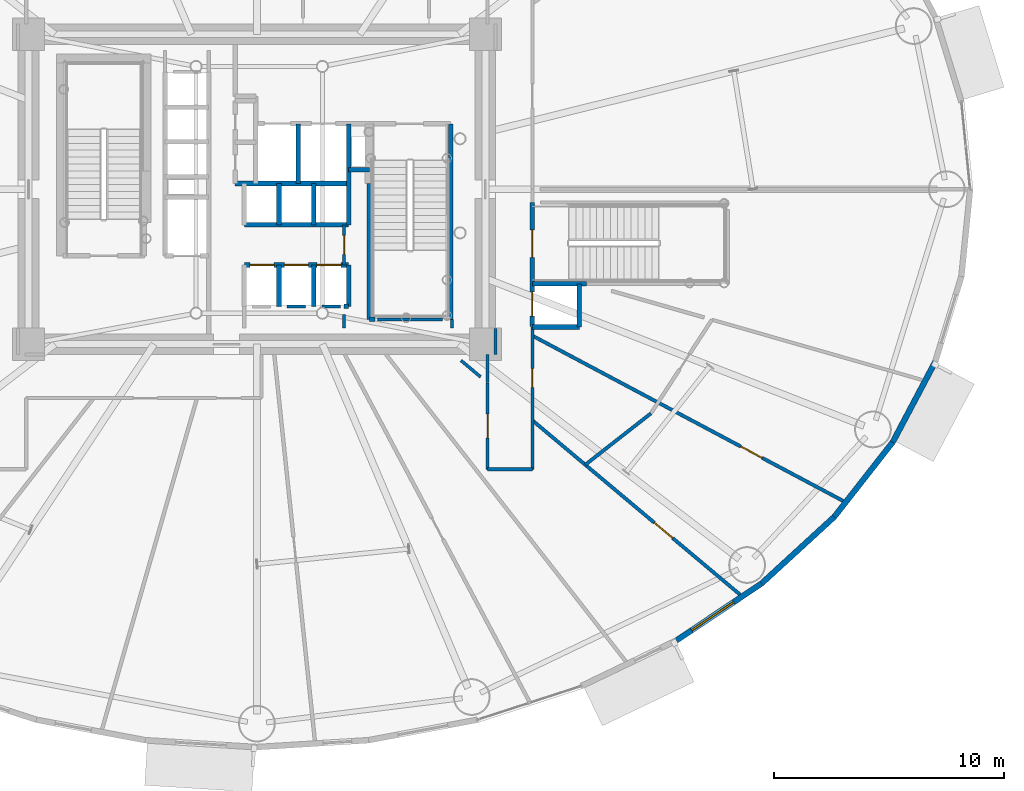
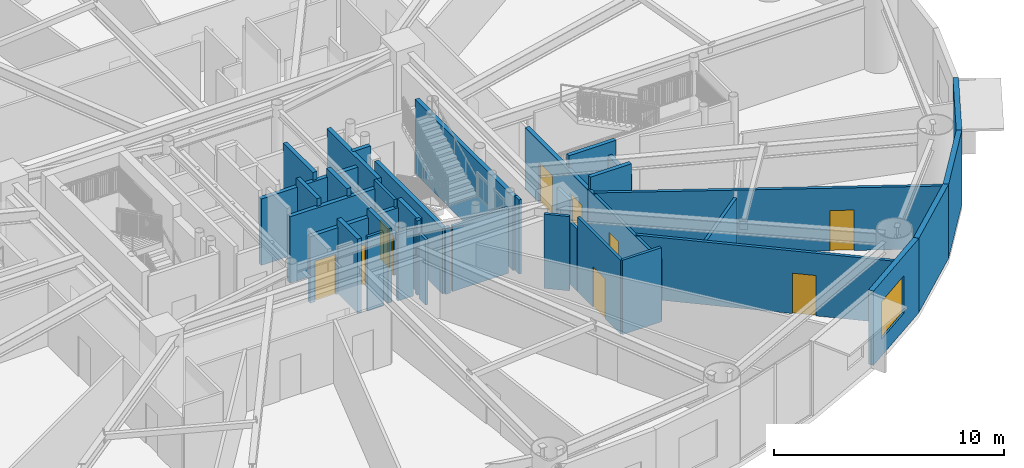
# One storey, part 18 of 32: 38 walls, 10 doors, 1 window, 11 openings.
"""IFC4 building model written with IfcOpenShell, lengths in metres."""

import ifcopenshell
import ifcopenshell.guid

model = None  # the IFC model being written
_history = None  # IfcOwnerHistory: only IFC2X3 demands one
_inside = {}  # id of a spatial element -> (the spatial element, [elements in it])
_under = {}  # id of a project, library or spatial element -> (it, [spatial elements below it])
_declared = {}  # id of a project -> (the project, [libraries it declares])
_typed = {}  # id of a type object -> (the type object, [elements of that type])
_made_of = {}  # id of a material, layer set ... -> (it, [elements and type objects made of it])


def new_model(schema):
    """Start an empty IFC model of exactly this schema.

    Asked for "IFC4X3", IfcOpenShell would pick the latest addendum, in which some entities
    have other attributes; the version numbers below select the first issue.
    IFC2X3 requires an IfcOwnerHistory on every rooted entity: one is made here for all.
    """
    global model, _history
    if schema == "IFC4X3":
        model = ifcopenshell.file(schema_version=(4, 3, 0, 0))
    else:
        model = ifcopenshell.file(schema=schema)
    _inside.clear()
    _under.clear()
    _declared.clear()
    _typed.clear()
    _made_of.clear()
    _history = None
    if model.schema == "IFC2X3":
        org = make("IfcOrganization", Name="unknown")
        user = make(
            "IfcPersonAndOrganization",
            ThePerson=make("IfcPerson", FamilyName="unknown"),
            TheOrganization=org,
        )
        app = make(
            "IfcApplication",
            ApplicationDeveloper=org,
            Version="unknown",
            ApplicationFullName="unknown",
            ApplicationIdentifier="unknown",
        )
        _history = make(
            "IfcOwnerHistory",
            OwningUser=user,
            OwningApplication=app,
            ChangeAction="ADDED",
            CreationDate=0,
        )
    return model


def make(cls, **values):
    """One entity of the class cls with the attributes given. An attribute that is None is left unset."""
    return model.create_entity(
        cls, **{name: value for name, value in values.items() if value is not None}
    )


def rooted(cls, **values):
    """An entity with a GlobalId (a new one), such as an element, a storey or a relation."""
    return make(cls, GlobalId=ifcopenshell.guid.new(), OwnerHistory=_history, **values)


def si_unit(unit_type, name, prefix=None):
    """IfcSIUnit, for example si_unit("LENGTHUNIT", "METRE", prefix="MILLI")."""
    return make("IfcSIUnit", UnitType=unit_type, Prefix=prefix, Name=name)


def assignment(units):
    """IfcUnitAssignment: the units of a project."""
    return None if units is None else make("IfcUnitAssignment", Units=units)


def point(xyz):
    """IfcCartesianPoint."""
    return None if xyz is None else make("IfcCartesianPoint", Coordinates=xyz)


def direction(xyz):
    """IfcDirection."""
    return None if xyz is None else make("IfcDirection", DirectionRatios=xyz)


def frame(location, z_axis=None, x_axis=None):
    """IfcAxis2Placement3D, a coordinate frame: its origin and axes. An axis left out is left unset."""
    return make(
        "IfcAxis2Placement3D",
        Location=point(location),
        Axis=direction(z_axis),
        RefDirection=direction(x_axis),
    )


def frame_2d(location, x_axis=None):
    """IfcAxis2Placement2D, a coordinate frame in the plane: its origin and x axis."""
    return make(
        "IfcAxis2Placement2D", Location=point(location), RefDirection=direction(x_axis)
    )


def origin():
    """The frame at (0, 0, 0) with its axes left unset."""
    return frame((0.0, 0.0, 0.0))


def origin_2d():
    """The frame at (0, 0) in the plane with its x axis left unset."""
    return frame_2d((0.0, 0.0))


def place(relative_to, where):
    """IfcLocalPlacement: puts the frame where relative to a parent placement (None: the world)."""
    return make(
        "IfcLocalPlacement", PlacementRelTo=relative_to, RelativePlacement=where
    )


def context(
    kind, dimensions, precision=None, world=None, true_north=None, identifier=None
):
    """IfcGeometricRepresentationContext, for example the 3D "Model" context."""
    return make(
        "IfcGeometricRepresentationContext",
        ContextIdentifier=identifier,
        ContextType=kind,
        CoordinateSpaceDimension=dimensions,
        Precision=precision,
        WorldCoordinateSystem=world,
        TrueNorth=true_north,
    )


def subcontext(parent, identifier, kind, view, scale=None):
    """IfcGeometricRepresentationSubContext, for example "Body" below "Model"."""
    return make(
        "IfcGeometricRepresentationSubContext",
        ContextIdentifier=identifier,
        ContextType=kind,
        ParentContext=parent,
        TargetScale=scale,
        TargetView=view,
    )


def project(units=None, contexts=None):
    """IfcProject with its units and contexts."""
    return rooted(
        "IfcProject",
        Name="project",
        RepresentationContexts=contexts,
        UnitsInContext=assignment(units),
    )


def spatial(cls, under=None, at=None, **own):
    """A site, building, storey or space (cls), placed at a placement, below another one or the project."""
    s = rooted(cls, ObjectPlacement=at, **own)
    if under is not None:
        _under.setdefault(under.id(), (under, []))[1].append(s)
    return s


def profile(cls, at=None, kind="AREA", **sizes):
    """A parametric profile (cls). Its sizes go by their IFC names, for example OverallWidth=200.0."""
    return make(cls, ProfileType=kind, Position=at, **sizes)


def rectangle(**sizes):
    """IfcRectangleProfileDef."""
    return profile("IfcRectangleProfileDef", **sizes)


def extrude(swept, where, along, depth):
    """IfcExtrudedAreaSolid: the profile swept, set in the frame where, extruded along a direction by depth."""
    return make(
        "IfcExtrudedAreaSolid",
        SweptArea=swept,
        Position=where,
        ExtrudedDirection=direction(along),
        Depth=depth,
    )


def shape(context_of_items, identifier, shape_type, items):
    """IfcShapeRepresentation: the items that make up one representation, for example the "Body"."""
    return make(
        "IfcShapeRepresentation",
        ContextOfItems=context_of_items,
        RepresentationIdentifier=identifier,
        RepresentationType=shape_type,
        Items=items,
    )


def source(mapping_origin, context_of_items, identifier, shape_type, items):
    """IfcRepresentationMap: a shape defined once, which mapped items show again and again."""
    return make(
        "IfcRepresentationMap",
        MappingOrigin=mapping_origin,
        MappedRepresentation=shape(context_of_items, identifier, shape_type, items),
    )


def transform(
    local_origin,
    x_axis=None,
    y_axis=None,
    z_axis=None,
    scale=None,
    scale2=None,
    scale3=None,
    uniform=True,
):
    """IfcCartesianTransformationOperator3D, or its non-uniform kind. x_axis, y_axis, z_axis: its Axis1, 2, 3."""
    if uniform:
        return make(
            "IfcCartesianTransformationOperator3D",
            Axis1=direction(x_axis),
            Axis2=direction(y_axis),
            LocalOrigin=point(local_origin),
            Scale=scale,
            Axis3=direction(z_axis),
        )
    return make(
        "IfcCartesianTransformationOperator3DnonUniform",
        Axis1=direction(x_axis),
        Axis2=direction(y_axis),
        LocalOrigin=point(local_origin),
        Scale=scale,
        Axis3=direction(z_axis),
        Scale2=scale2,
        Scale3=scale3,
    )


def mapped(mapping_source, mapping_target):
    """IfcMappedItem: shows the shape of a source again, moved by a transform."""
    return make(
        "IfcMappedItem", MappingSource=mapping_source, MappingTarget=mapping_target
    )


def material(Name=None, Category=None):
    """IfcMaterial."""
    return make("IfcMaterial", Name=Name, Category=Category)


def layer(
    of_material, thickness, ventilated=None, Name=None, Category=None, Priority=None
):
    """IfcMaterialLayer: one layer of a wall or slab, of a material (None: an air gap)."""
    return make(
        "IfcMaterialLayer",
        Material=of_material,
        LayerThickness=thickness,
        IsVentilated=ventilated,
        Name=Name,
        Category=Category,
        Priority=Priority,
    )


def layer_set(layers, Name=None):
    """IfcMaterialLayerSet."""
    return make("IfcMaterialLayerSet", MaterialLayers=layers, LayerSetName=Name)


def made_of(thing, what):
    """Note that an element or type object is made of a material, layer set ...; save() writes the relation."""
    if what is not None:
        _made_of.setdefault(what.id(), (what, []))[1].append(thing)
    return thing


def type_object(cls, material=None, **own):
    """A type object (cls), such as IfcWallType, which elements share."""
    return made_of(rooted(cls, **own), material)


def element(
    cls,
    number,
    at=None,
    inside=None,
    cuts=None,
    type_object=None,
    material=None,
    context=None,
    identifier="Body",
    shape_type=None,
    held_by="IfcProductDefinitionShape",
    body=None,
    shapes=None,
    **own,
):
    """One element of the class cls, such as IfcWall. Its Tag is "e" and its number.

    at: its placement. inside: the storey or other place that contains it. cuts: it is an
    opening in that element (IfcRelVoidsElement). A single representation is given by context,
    identifier, shape_type and body (its items); several are given by shapes. held_by: the class
    of the entity that holds the representations. save() writes the other relations.
    """
    e = rooted(cls, Tag="e%d" % number, ObjectPlacement=at, **own)
    if body is not None:
        shapes = [shape(context, identifier, shape_type, body)]
    if shapes is not None:
        e.Representation = make(held_by, Representations=shapes)
    if inside is not None:
        _inside.setdefault(inside.id(), (inside, []))[1].append(e)
    if cuts is not None:
        rooted(
            "IfcRelVoidsElement", RelatingBuildingElement=cuts, RelatedOpeningElement=e
        )
    if type_object is not None:
        _typed.setdefault(type_object.id(), (type_object, []))[1].append(e)
    return made_of(e, material)


def fill(opening, filler):
    """IfcRelFillsElement: the door or window that sits in an opening."""
    return rooted(
        "IfcRelFillsElement",
        RelatingOpeningElement=opening,
        RelatedBuildingElement=filler,
    )


def aggregate(whole, parts):
    """IfcRelAggregates: a whole, such as a stair, and the parts it consists of."""
    return rooted("IfcRelAggregates", RelatingObject=whole, RelatedObjects=parts)


def save(model, path):
    """Write the relations noted so far, then the file.

    IfcRelAggregates (storeys below a building ...), IfcRelContainedInSpatialStructure (elements
    in a storey), IfcRelDefinesByType, IfcRelAssociatesMaterial and IfcRelDeclares: one each for
    every whole, place, type object, material and project.
    """
    for whole, parts in _under.values():
        aggregate(whole, parts)
    for where, things in _inside.values():
        rooted(
            "IfcRelContainedInSpatialStructure",
            RelatedElements=things,
            RelatingStructure=where,
        )
    for kind, things in _typed.values():
        rooted("IfcRelDefinesByType", RelatedObjects=things, RelatingType=kind)
    for what, things in _made_of.values():
        rooted("IfcRelAssociatesMaterial", RelatedObjects=things, RelatingMaterial=what)
    for by, libraries in _declared.values():
        rooted("IfcRelDeclares", RelatingContext=by, RelatedDefinitions=libraries)
    model.write(path)


model = new_model("IFC4")

# Units and contexts
model_context = context("Model", 3, precision=1e-05, world=origin(), true_north=direction((0.0, 1.0)))
body_context = subcontext(model_context, "Body", "Model", "MODEL_VIEW")
ifc_project = project(units=[si_unit("LENGTHUNIT", "METRE"), si_unit("AREAUNIT", "SQUARE_METRE"), si_unit("VOLUMEUNIT", "CUBIC_METRE"), si_unit("PLANEANGLEUNIT", "RADIAN"), si_unit("MASSUNIT", "GRAM", prefix="KILO")], contexts=[model_context])

# Site, building, storey
site_placement = place(None, origin())
site = spatial("IfcSite", under=ifc_project, at=site_placement, CompositionType="ELEMENT")
building_placement = place(site_placement, origin())
building = spatial("IfcBuilding", under=site, at=building_placement, Name="Linh Dai School and Residence Tower", CompositionType="ELEMENT")
storey_placement = place(building_placement, frame((0.0, 0.0, 53.39990234375)))
storey = spatial("IfcBuildingStorey", under=building, at=storey_placement, Name="L12", CompositionType="ELEMENT", Elevation=53.39990234375)

# Wall, opening, window
ifc_material_1 = material(Name="Precast Concrete B45 (C35/45)", Category="concrete")
ifc_layer_1 = layer(ifc_material_1, 0.25)
ifc_layer_set_1 = layer_set([ifc_layer_1], Name="Precast Concrete B45 (C35/45)")
wall_type_1 = type_object("IfcWallType", Name="EW-TC-250", PredefinedType="SOLIDWALL", material=ifc_layer_set_1)
wall_1_placement = place(storey_placement, frame((57.984619140625, 9.82373046875, 0.0), z_axis=(0.0, 0.0, 1.0), x_axis=(-0.831240982525, -0.555912249343, 0.0)))
wall_1 = element("IfcWall", 1, at=wall_1_placement, inside=storey, type_object=wall_type_1, Name="L12 Terracotta Exterior Wall 35", PredefinedType="SOLIDWALL", context=body_context, shape_type="SweptSolid", body=[
    extrude(rectangle(XDim=4.460205078125, YDim=0.25, at=frame_2d((2.22998046875, 0.0))), origin(), (0.0, 0.0, 1.0), 3.9501953125),
])
opening_1_placement = place(wall_1_placement, frame((1.460693359375, 0.0, 0.89990234375)))
opening_1 = element("IfcOpeningElement", 2, at=opening_1_placement, cuts=wall_1, Name="Opening W4", PredefinedType="OPENING", context=body_context, shape_type="SweptSolid", body=[
    extrude(rectangle(XDim=2.199951171875, YDim=2.0, at=origin_2d()), frame((1.10009765625, 0.135009765625, 1.0), z_axis=(0.0, -1.0, 0.0), x_axis=(1.0, 0.0, 0.0)), (0.0, 0.0, 1.0), 0.27001953125),
])
ifc_material_2 = material(Name="Acoustic Laminated Low-E Glazing", Category="glass")
window_type = type_object("IfcWindowType", Name="WN-SCH-2200x2000", PartitioningType="TRIPLE_PANEL_VERTICAL", PredefinedType="WINDOW", material=ifc_material_2)
shared_shape_1 = source(origin(), body_context, "Body", "SweptSolid", [
    extrude(rectangle(XDim=2.199951171875, YDim=2.0, at=origin_2d()), frame((1.10009765625, 0.030029296875, 1.0), z_axis=(0.0, -1.0, 0.0), x_axis=(1.0, 0.0, 0.0)), (0.0, 0.0, 1.0), 0.06005859375),
])
window_placement = place(opening_1_placement, origin())
window = element("IfcWindow", 3, at=window_placement, inside=storey, type_object=window_type, Name="L12 Exterior Window 35.1", OverallHeight=2.0, OverallWidth=2.199951171875, PartitioningType="TRIPLE_PANEL_VERTICAL", PredefinedType="WINDOW", context=body_context, shape_type="MappedRepresentation", body=[
    mapped(shared_shape_1, transform((0.0, 0.0, 0.0), x_axis=(1.0, 0.0, 0.0), y_axis=(0.0, 1.0, 0.0), z_axis=(0.0, 0.0, 1.0), scale=1.0)),
])
fill(opening_1, window)

# Walls
wall_2_placement = place(storey_placement, frame((61.149658203125, 12.725341796875, 0.0), z_axis=(0.0, 0.0, 1.0), x_axis=(-0.737116376281, -0.67576582321, 0.0)))
element("IfcWall", 4, at=wall_2_placement, inside=storey, type_object=wall_type_1, Name="L12 Terracotta Exterior Wall 36", PredefinedType="SOLIDWALL", context=body_context, shape_type="SweptSolid", body=[
    extrude(rectangle(XDim=4.293701171875, YDim=0.25, at=frame_2d((2.14697265625, 0.0))), origin(), (0.0, 0.0, 1.0), 3.9501953125),
])
wall_3_placement = place(storey_placement, frame((63.694580078125, 15.977294921875, 0.0), z_axis=(0.0, 0.0, 1.0), x_axis=(-0.616295508253, -0.787514981767, 0.0)))
element("IfcWall", 5, at=wall_3_placement, inside=storey, type_object=wall_type_1, Name="L12 Terracotta Exterior Wall 37", PredefinedType="SOLIDWALL", context=body_context, shape_type="SweptSolid", body=[
    extrude(rectangle(XDim=4.12939453125, YDim=0.25, at=frame_2d((2.064697265625, 0.0))), origin(), (0.0, 0.0, 1.0), 3.9501953125),
])
wall_4_placement = place(storey_placement, frame((65.5576171875, 19.49853515625, 0.0), z_axis=(0.0, 0.0, 1.0), x_axis=(-0.467662443071, -0.883907144072, 0.0)))
element("IfcWall", 6, at=wall_4_placement, inside=storey, type_object=wall_type_1, Name="L12 Terracotta Exterior Wall 38", PredefinedType="SOLIDWALL", context=body_context, shape_type="SweptSolid", body=[
    extrude(rectangle(XDim=3.983642578125, YDim=0.25, at=frame_2d((1.99169921875, 0.0))), origin(), (0.0, 0.0, 1.0), 3.9501953125),
])

# Wall, opening, door
ifc_material_3 = material(Name="Autoclaved Aerated Concrete Blockwork", Category="masonry")
ifc_layer_2 = layer(ifc_material_3, 0.135009765625)
ifc_layer_set_2 = layer_set([ifc_layer_2], Name="Autoclaved Aerated Concrete Blockwork")
wall_type_2 = type_object("IfcWallType", Name="IW-CORR-135-EI90", PredefinedType="PARTITIONING", material=ifc_layer_set_2)
wall_5_placement = place(storey_placement, frame((39.800048828125, 23.699951171875, 0.0), z_axis=(0.0, 0.0, 1.0), x_axis=(0.0, 1.0, 0.0)))
wall_5 = element("IfcWall", 7, at=wall_5_placement, inside=storey, type_object=wall_type_2, Name="L12 Interior Partition Wall 051", PredefinedType="PARTITIONING", context=body_context, shape_type="SweptSolid", body=[
    extrude(rectangle(XDim=1.75, YDim=0.135009765625, at=frame_2d((0.875, 0.0))), origin(), (0.0, 0.0, 1.0), 3.9501953125),
])
opening_2_placement = place(wall_5_placement, frame((0.465087890625, 0.0, 0.0)))
opening_2 = element("IfcOpeningElement", 8, at=opening_2_placement, cuts=wall_5, Name="Opening D06", PredefinedType="OPENING", context=body_context, shape_type="SweptSolid", body=[
    extrude(rectangle(XDim=0.820068359375, YDim=2.10009765625, at=origin_2d()), frame((0.41015625, 0.07763671875, 1.050048828125), z_axis=(0.0, -1.0, 0.0), x_axis=(1.0, 0.0, 0.0)), (0.0, 0.0, 1.0), 0.155029296875),
])
ifc_material_4 = material(Name="Moisture-Resistant Timber Bathroom Door", Category="wood")
door_type_1 = type_object("IfcDoorType", Name="DR-WET-820x2100", OperationType="NOTDEFINED", PredefinedType="DOOR", material=ifc_material_4)
shared_shape_2 = source(origin(), body_context, "Body", "SweptSolid", [
    extrude(rectangle(XDim=0.820068359375, YDim=2.10009765625, at=origin_2d()), frame((0.41015625, 0.02490234375, 1.050048828125), z_axis=(0.0, -1.0, 0.0), x_axis=(1.0, 0.0, 0.0)), (0.0, 0.0, 1.0), 0.050048828125),
])
door_1_placement = place(opening_2_placement, origin())
door_1 = element("IfcDoor", 9, at=door_1_placement, inside=storey, type_object=door_type_1, Name="L12 Core Housekeeping Store Door", OperationType="SINGLE_SWING_RIGHT", OverallHeight=2.10009765625, OverallWidth=0.820068359375, PredefinedType="DOOR", context=body_context, shape_type="MappedRepresentation", body=[
    mapped(shared_shape_2, transform((0.0, 0.0, 0.0), x_axis=(1.0, 0.0, 0.0), y_axis=(0.0, 1.0, 0.0), z_axis=(0.0, 0.0, 1.0), scale=1.0)),
])
fill(opening_2, door_1)

wall_6_placement = place(storey_placement, frame((46.050048828125, 14.800048828125, 0.0), z_axis=(0.0, 0.0, 1.0), x_axis=(0.0, 1.0, 0.0)))
wall_6 = element("IfcWall", 10, at=wall_6_placement, inside=storey, type_object=wall_type_2, Name="L12 Interior Partition Wall 061", PredefinedType="PARTITIONING", context=body_context, shape_type="SweptSolid", body=[
    extrude(rectangle(XDim=3.76708984375, YDim=0.135009765625, at=frame_2d((1.883544921875, 0.0))), origin(), (0.0, 0.0, 1.0), 3.9501953125),
])
opening_3_placement = place(wall_6_placement, frame((1.3583984375, 0.0, 0.0)))
opening_3 = element("IfcOpeningElement", 11, at=opening_3_placement, cuts=wall_6, Name="Opening D04", PredefinedType="OPENING", context=body_context, shape_type="SweptSolid", body=[
    extrude(rectangle(XDim=1.050048828125, YDim=2.14990234375, at=origin_2d()), frame((0.52490234375, 0.07763671875, 1.074951171875), z_axis=(0.0, -1.0, 0.0), x_axis=(1.0, 0.0, 0.0)), (0.0, 0.0, 1.0), 0.155029296875),
])
ifc_material_5 = material(Name="Acoustic Vision-Panel Timber Classroom Door", Category="wood")
door_type_2 = type_object("IfcDoorType", Name="DR-SCH-1050x2150-FD60S", OperationType="NOTDEFINED", PredefinedType="DOOR", material=ifc_material_5)
shared_shape_3 = source(origin(), body_context, "Body", "SweptSolid", [
    extrude(rectangle(XDim=1.050048828125, YDim=2.14990234375, at=origin_2d()), frame((0.52490234375, 0.02490234375, 1.074951171875), z_axis=(0.0, -1.0, 0.0), x_axis=(1.0, 0.0, 0.0)), (0.0, 0.0, 1.0), 0.050048828125),
])
door_2_placement = place(opening_3_placement, origin())
door_2 = element("IfcDoor", 12, at=door_2_placement, inside=storey, type_object=door_type_2, Name="L12 Sixth-Form Dean and Careers Office Door", OperationType="SINGLE_SWING_RIGHT", OverallHeight=2.14990234375, OverallWidth=1.050048828125, PredefinedType="DOOR", context=body_context, shape_type="MappedRepresentation", body=[
    mapped(shared_shape_3, transform((0.0, 0.0, 0.0), x_axis=(1.0, 0.0, 0.0), y_axis=(0.0, 1.0, 0.0), z_axis=(0.0, 0.0, 1.0), scale=1.0)),
])
fill(opening_3, door_2)

# Wall
wall_7_placement = place(storey_placement, frame((46.050048828125, 14.800048828125, 0.0), z_axis=(0.0, 0.0, 1.0), x_axis=(1.0, 0.0, 0.0)))
element("IfcWall", 13, at=wall_7_placement, inside=storey, type_object=wall_type_2, Name="L12 Interior Partition Wall 062", PredefinedType="PARTITIONING", context=body_context, shape_type="SweptSolid", body=[
    extrude(rectangle(XDim=1.949951171875, YDim=0.135009765625, at=frame_2d((0.97509765625, 0.0))), origin(), (0.0, 0.0, 1.0), 3.9501953125),
])

# Wall, opening, door
wall_8_placement = place(storey_placement, frame((48.0, 14.800048828125, 0.0), z_axis=(0.0, 0.0, 1.0), x_axis=(0.0, 1.0, 0.0)))
wall_8 = element("IfcWall", 14, at=wall_8_placement, inside=storey, type_object=wall_type_2, Name="L12 Interior Partition Wall 064", PredefinedType="PARTITIONING", context=body_context, shape_type="SweptSolid", body=[
    extrude(rectangle(XDim=6.199951171875, YDim=0.135009765625, at=frame_2d((3.10009765625, 0.0))), origin(), (0.0, 0.0, 1.0), 3.28515625),
])
opening_4_placement = place(wall_8_placement, frame((3.565185546875, 0.0, 0.0)))
opening_4 = element("IfcOpeningElement", 15, at=opening_4_placement, cuts=wall_8, Name="Opening D06", PredefinedType="OPENING", context=body_context, shape_type="SweptSolid", body=[
    extrude(rectangle(XDim=0.820068359375, YDim=2.10009765625, at=origin_2d()), frame((0.41015625, 0.07763671875, 1.050048828125), z_axis=(0.0, -1.0, 0.0), x_axis=(1.0, 0.0, 0.0)), (0.0, 0.0, 1.0), 0.155029296875),
])
door_3_placement = place(opening_4_placement, origin())
door_3 = element("IfcDoor", 16, at=door_3_placement, inside=storey, type_object=door_type_1, Name="L12 Sixth-Form Male WC Door", OperationType="SINGLE_SWING_LEFT", OverallHeight=2.10009765625, OverallWidth=0.820068359375, PredefinedType="DOOR", context=body_context, shape_type="MappedRepresentation", body=[
    mapped(shared_shape_2, transform((0.0, 0.0, 0.0), x_axis=(1.0, 0.0, 0.0), y_axis=(0.0, 1.0, 0.0), z_axis=(0.0, 0.0, 1.0), scale=1.0)),
])
fill(opening_4, door_3)

# Walls
wall_9_placement = place(storey_placement, frame((44.080078125, 21.330078125, 0.0), z_axis=(0.0, 0.0, 1.0), x_axis=(-1.0, 0.0, 0.0)))
element("IfcWall", 17, at=wall_9_placement, inside=storey, type_object=wall_type_2, Name="L12 Interior Partition Wall 075", PredefinedType="PARTITIONING", context=body_context, shape_type="SweptSolid", body=[
    extrude(rectangle(XDim=2.820068359375, YDim=0.135009765625, at=frame_2d((1.41015625, 0.0))), origin(), (0.0, 0.0, 1.0), 3.485107421875),
])
wall_10_placement = place(storey_placement, frame((38.1201171875, 21.89990234375, 0.0), z_axis=(0.0, 0.0, 1.0), x_axis=(-1.0, 0.0, 0.0)))
element("IfcWall", 18, at=wall_10_placement, inside=storey, type_object=wall_type_2, Name="L12 Interior Partition Wall 077", PredefinedType="PARTITIONING", context=body_context, shape_type="SweptSolid", body=[
    extrude(rectangle(XDim=0.800048828125, YDim=0.135009765625, at=frame_2d((0.39990234375, 0.0))), origin(), (0.0, 0.0, 1.0), 3.9501953125),
])
wall_11_placement = place(storey_placement, frame((39.639892578125, 21.89990234375, 0.0), z_axis=(0.0, 0.0, 1.0), x_axis=(-1.0, 0.0, 0.0)))
element("IfcWall", 19, at=wall_11_placement, inside=storey, type_object=wall_type_2, Name="L12 Interior Partition Wall 078", PredefinedType="PARTITIONING", context=body_context, shape_type="SweptSolid", body=[
    extrude(rectangle(XDim=0.7998046875, YDim=0.135009765625, at=frame_2d((0.39990234375, 0.0))), origin(), (0.0, 0.0, 1.0), 3.53515625),
])
wall_12_placement = place(storey_placement, frame((39.800048828125, 20.9599609375, 0.0), z_axis=(0.0, 0.0, 1.0), x_axis=(0.0, 1.0, 0.0)))
element("IfcWall", 20, at=wall_12_placement, inside=storey, type_object=wall_type_2, Name="L12 Interior Partition Wall 080", PredefinedType="PARTITIONING", context=body_context, shape_type="SweptSolid", body=[
    extrude(rectangle(XDim=0.580078125, YDim=0.135009765625, at=frame_2d((0.2900390625, 0.0))), origin(), (0.0, 0.0, 1.0), 3.485107421875),
])
wall_13_placement = place(storey_placement, frame((44.5, 20.9599609375, 0.0), z_axis=(0.0, 0.0, 1.0), x_axis=(0.0, 1.0, 0.0)))
element("IfcWall", 21, at=wall_13_placement, inside=storey, type_object=wall_type_2, Name="L12 Interior Partition Wall 082", PredefinedType="PARTITIONING", context=body_context, shape_type="SweptSolid", body=[
    extrude(rectangle(XDim=0.360107421875, YDim=0.135009765625, at=frame_2d((0.18017578125, 0.0))), origin(), (0.0, 0.0, 1.0), 3.9501953125),
])
wall_14_placement = place(storey_placement, frame((46.050048828125, 18.5771484375, 0.0), z_axis=(0.0, 0.0, 1.0), x_axis=(0.0, 1.0, 0.0)))
element("IfcWall", 22, at=wall_14_placement, inside=storey, type_object=wall_type_2, Name="L12 Interior Partition Wall 089", PredefinedType="PARTITIONING", context=body_context, shape_type="SweptSolid", body=[
    extrude(rectangle(XDim=1.222900390625, YDim=0.135009765625, at=frame_2d((0.611328125, 0.0))), origin(), (0.0, 0.0, 1.0), 3.28515625),
])
wall_15_placement = place(storey_placement, frame((46.39990234375, 19.800048828125, 0.0), z_axis=(0.0, 0.0, 1.0), x_axis=(0.0, 1.0, 0.0)))
element("IfcWall", 23, at=wall_15_placement, inside=storey, type_object=wall_type_2, Name="L12 Interior Partition Wall 090", PredefinedType="PARTITIONING", context=body_context, shape_type="SweptSolid", body=[
    extrude(rectangle(XDim=1.139892578125, YDim=0.135009765625, at=frame_2d((0.56982421875, 0.0))), origin(), (0.0, 0.0, 1.0), 3.9501953125),
])
wall_16_placement = place(storey_placement, frame((44.890380859375, 19.5400390625, 0.0), z_axis=(0.0, 0.0, 1.0), x_axis=(0.76598583339, -0.642857451576, 0.0)))
element("IfcWall", 24, at=wall_16_placement, inside=storey, type_object=wall_type_2, Name="L12 Interior Partition Wall 106", PredefinedType="PARTITIONING", context=body_context, shape_type="SweptSolid", body=[
    extrude(rectangle(XDim=1.1123046875, YDim=0.135009765625, at=frame_2d((0.55615234375, 0.0))), origin(), (0.0, 0.0, 1.0), 3.9501953125),
])

# Wall, opening, door
ifc_layer_3 = layer(ifc_material_3, 0.14990234375)
ifc_layer_set_3 = layer_set([ifc_layer_3], Name="Autoclaved Aerated Concrete Blockwork")
wall_type_3 = type_object("IfcWallType", Name="IW-SCH-150-EI60", PredefinedType="PARTITIONING", material=ifc_layer_set_3)
wall_17_placement = place(storey_placement, frame((48.0, 16.930908203125, 0.0), z_axis=(0.0, 0.0, 1.0), x_axis=(0.766041142181, -0.642791543571, 0.0)))
wall_17 = element("IfcWall", 25, at=wall_17_placement, inside=storey, type_object=wall_type_3, Name="L12 Interior Partition Wall 065", PredefinedType="PARTITIONING", context=body_context, shape_type="SweptSolid", body=[
    extrude(rectangle(XDim=11.938720703125, YDim=0.14990234375, at=frame_2d((5.96923828125, 0.0))), origin(), (0.0, 0.0, 1.0), 3.335205078125),
])
opening_5_placement = place(wall_17_placement, frame((6.9287109375, 0.0, 0.0)))
opening_5 = element("IfcOpeningElement", 26, at=opening_5_placement, cuts=wall_17, Name="Opening D04", PredefinedType="OPENING", context=body_context, shape_type="SweptSolid", body=[
    extrude(rectangle(XDim=1.050048828125, YDim=2.14990234375, at=origin_2d()), frame((0.52490234375, 0.0849609375, 1.074951171875), z_axis=(0.0, -1.0, 0.0), x_axis=(1.0, 0.0, 0.0)), (0.0, 0.0, 1.0), 0.169921875),
])
door_4_placement = place(opening_5_placement, origin())
door_4 = element("IfcDoor", 27, at=door_4_placement, inside=storey, type_object=door_type_2, Name="L12 Resource Study Room BWC Door", OperationType="SINGLE_SWING_RIGHT", OverallHeight=2.14990234375, OverallWidth=1.050048828125, PredefinedType="DOOR", context=body_context, shape_type="MappedRepresentation", body=[
    mapped(shared_shape_3, transform((0.0, 0.0, 0.0), x_axis=(1.0, 0.0, 0.0), y_axis=(0.0, 1.0, 0.0), z_axis=(0.0, 0.0, 1.0), scale=1.0)),
])
fill(opening_5, door_4)

wall_18_placement = place(storey_placement, frame((48.0, 20.619384765625, 0.0), z_axis=(0.0, 0.0, 1.0), x_axis=(0.882949260716, -0.469468425989, 0.0)))
wall_18 = element("IfcWall", 28, at=wall_18_placement, inside=storey, type_object=wall_type_3, Name="L12 Interior Partition Wall 066", PredefinedType="PARTITIONING", context=body_context, shape_type="SweptSolid", body=[
    extrude(rectangle(XDim=15.462646484375, YDim=0.14990234375, at=frame_2d((7.7314453125, 0.0))), origin(), (0.0, 0.0, 1.0), 3.335205078125),
])
opening_6_placement = place(wall_18_placement, frame((10.285400390625, 0.0, 0.0)))
opening_6 = element("IfcOpeningElement", 29, at=opening_6_placement, cuts=wall_18, Name="Opening D04", PredefinedType="OPENING", context=body_context, shape_type="SweptSolid", body=[
    extrude(rectangle(XDim=1.050048828125, YDim=2.14990234375, at=origin_2d()), frame((0.52490234375, 0.0849609375, 1.074951171875), z_axis=(0.0, -1.0, 0.0), x_axis=(1.0, 0.0, 0.0)), (0.0, 0.0, 1.0), 0.169921875),
])
door_5_placement = place(opening_6_placement, origin())
door_5 = element("IfcDoor", 30, at=door_5_placement, inside=storey, type_object=door_type_2, Name="L12 Resource Study Room GWC Door", OperationType="SINGLE_SWING_LEFT", OverallHeight=2.14990234375, OverallWidth=1.050048828125, PredefinedType="DOOR", context=body_context, shape_type="MappedRepresentation", body=[
    mapped(shared_shape_3, transform((0.0, 0.0, 0.0), x_axis=(1.0, 0.0, 0.0), y_axis=(0.0, 1.0, 0.0), z_axis=(0.0, 0.0, 1.0), scale=1.0)),
])
fill(opening_6, door_5)

# Walls
wall_19_placement = place(storey_placement, frame((50.304931640625, 14.996826171875, 0.0), z_axis=(0.0, 0.0, 1.0), x_axis=(0.787346078754, 0.616511275056, 0.0)))
element("IfcWall", 31, at=wall_19_placement, inside=storey, type_object=wall_type_3, Name="L12 Interior Partition Wall 073", PredefinedType="PARTITIONING", context=body_context, shape_type="SweptSolid", body=[
    extrude(rectangle(XDim=3.63134765625, YDim=0.14990234375, at=frame_2d((1.815673828125, 0.0))), origin(), (0.0, 0.0, 1.0), 3.28515625),
])
ifc_material_6 = material(Name="Concrete B45 (C35/45)", Category="concrete")
ifc_layer_4 = layer(ifc_material_6, 0.199951171875)
ifc_layer_set_4 = layer_set([ifc_layer_4], Name="Concrete B45 (C35/45)")
wall_type_4 = type_object("IfcWallType", Name="IW-SHAFT-200-EI120", PredefinedType="PARTITIONING", material=ifc_layer_set_4)
wall_20_placement = place(storey_placement, frame((35.050048828125, 27.25, 0.0), z_axis=(0.0, 0.0, 1.0), x_axis=(1.0, 0.0, 0.0)))
element("IfcWall", 32, at=wall_20_placement, inside=storey, type_object=wall_type_4, Name="L12 Interior Partition Wall 031", PredefinedType="PARTITIONING", context=body_context, shape_type="SweptSolid", body=[
    extrude(rectangle(XDim=4.949951171875, YDim=0.199951171875, at=frame_2d((2.47509765625, 0.0))), origin(), (0.0, 0.0, 1.0), 3.53515625),
])

# Wall, openings, doors
wall_21_placement = place(storey_placement, frame((35.449951171875, 23.699951171875, 0.0), z_axis=(0.0, 0.0, 1.0), x_axis=(1.0, 0.0, 0.0)))
wall_21 = element("IfcWall", 33, at=wall_21_placement, inside=storey, type_object=wall_type_4, Name="L12 Interior Partition Wall 037", PredefinedType="PARTITIONING", context=body_context, shape_type="SweptSolid", body=[
    extrude(rectangle(XDim=4.550048828125, YDim=0.199951171875, at=frame_2d((2.27490234375, 0.0))), origin(), (0.0, 0.0, 1.0), 3.53515625),
])
opening_7_placement = place(wall_21_placement, frame((0.25, 0.0, 0.0)))
opening_7 = element("IfcOpeningElement", 34, at=opening_7_placement, cuts=wall_21, Name="Opening LD-PL1", PredefinedType="OPENING", context=body_context, shape_type="SweptSolid", body=[
    extrude(rectangle(XDim=1.050048828125, YDim=2.14990234375, at=origin_2d()), frame((0.52490234375, 0.10986328125, 1.074951171875), z_axis=(0.0, -1.0, 0.0), x_axis=(1.0, 0.0, 0.0)), (0.0, 0.0, 1.0), 0.219970703125),
])
opening_8_placement = place(wall_21_placement, frame((1.7451171875, 0.0, 0.0)))
opening_8 = element("IfcOpeningElement", 35, at=opening_8_placement, cuts=wall_21, Name="Opening LD-PL2", PredefinedType="OPENING", context=body_context, shape_type="SweptSolid", body=[
    extrude(rectangle(XDim=1.050048828125, YDim=2.14990234375, at=origin_2d()), frame((0.52490234375, 0.10986328125, 1.074951171875), z_axis=(0.0, -1.0, 0.0), x_axis=(1.0, 0.0, 0.0)), (0.0, 0.0, 1.0), 0.219970703125),
])
opening_9_placement = place(wall_21_placement, frame((3.1650390625, 0.0, 0.0)))
opening_9 = element("IfcOpeningElement", 36, at=opening_9_placement, cuts=wall_21, Name="Opening LD-PL3", PredefinedType="OPENING", context=body_context, shape_type="SweptSolid", body=[
    extrude(rectangle(XDim=1.050048828125, YDim=2.14990234375, at=origin_2d()), frame((0.52490234375, 0.10986328125, 1.074951171875), z_axis=(0.0, -1.0, 0.0), x_axis=(1.0, 0.0, 0.0)), (0.0, 0.0, 1.0), 0.219970703125),
])
ifc_material_7 = material(Name="Brushed Stainless Steel Lift Landing Door", Category="steel")
door_type_3 = type_object("IfcDoorType", Name="DR-LD-PASS-1050x2150", OperationType="DOUBLE_DOOR_SLIDING", PredefinedType="USERDEFINED", material=ifc_material_7)
shared_shape_4 = source(origin(), body_context, "Body", "SweptSolid", [
    extrude(rectangle(XDim=1.050048828125, YDim=2.14990234375, at=origin_2d()), frame((0.52490234375, 0.02490234375, 1.074951171875), z_axis=(0.0, -1.0, 0.0), x_axis=(1.0, 0.0, 0.0)), (0.0, 0.0, 1.0), 0.050048828125),
])
door_6_placement = place(opening_7_placement, origin())
door_6 = element("IfcDoor", 37, at=door_6_placement, inside=storey, type_object=door_type_3, Name="L12 Lift PL1 Sliding Landing Door", ObjectType="LANDING DOOR", OperationType="DOUBLE_DOOR_SLIDING", OverallHeight=2.14990234375, OverallWidth=1.050048828125, PredefinedType="USERDEFINED", context=body_context, shape_type="MappedRepresentation", body=[
    mapped(shared_shape_4, transform((0.0, 0.0, 0.0), x_axis=(1.0, 0.0, 0.0), y_axis=(0.0, 1.0, 0.0), z_axis=(0.0, 0.0, 1.0), scale=1.0)),
])
fill(opening_7, door_6)
door_7_placement = place(opening_8_placement, origin())
door_7 = element("IfcDoor", 38, at=door_7_placement, inside=storey, type_object=door_type_3, Name="L12 Lift PL2 Sliding Landing Door", ObjectType="LANDING DOOR", OperationType="DOUBLE_DOOR_SLIDING", OverallHeight=2.14990234375, OverallWidth=1.050048828125, PredefinedType="USERDEFINED", context=body_context, shape_type="MappedRepresentation", body=[
    mapped(shared_shape_4, transform((0.0, 0.0, 0.0), x_axis=(1.0, 0.0, 0.0), y_axis=(0.0, 1.0, 0.0), z_axis=(0.0, 0.0, 1.0), scale=1.0)),
])
fill(opening_8, door_7)
door_8_placement = place(opening_9_placement, origin())
door_8 = element("IfcDoor", 39, at=door_8_placement, inside=storey, type_object=door_type_3, Name="L12 Lift PL3 Sliding Landing Door", ObjectType="LANDING DOOR", OperationType="DOUBLE_DOOR_SLIDING", OverallHeight=2.14990234375, OverallWidth=1.050048828125, PredefinedType="USERDEFINED", context=body_context, shape_type="MappedRepresentation", body=[
    mapped(shared_shape_4, transform((0.0, 0.0, 0.0), x_axis=(1.0, 0.0, 0.0), y_axis=(0.0, 1.0, 0.0), z_axis=(0.0, 0.0, 1.0), scale=1.0)),
])
fill(opening_9, door_8)

# Walls
wall_22_placement = place(storey_placement, frame((35.449951171875, 25.449951171875, 0.0), z_axis=(0.0, 0.0, 1.0), x_axis=(1.0, 0.0, 0.0)))
element("IfcWall", 40, at=wall_22_placement, inside=storey, type_object=wall_type_4, Name="L12 Interior Partition Wall 039", PredefinedType="PARTITIONING", context=body_context, shape_type="SweptSolid", body=[
    extrude(rectangle(XDim=4.550048828125, YDim=0.199951171875, at=frame_2d((2.27490234375, 0.0))), origin(), (0.0, 0.0, 1.0), 3.53515625),
])
for number, where, z_axis, x_axis, name in (
    (41, (36.9599609375, 21.89990234375, 0.0), (0.0, 0.0, 1.0), (0.0, 1.0, 0.0), "L12 Interior Partition Wall 044"),
    (42, (36.9599609375, 25.449951171875, 0.0), (0.0, 0.0, 1.0), (0.0, 1.0, 0.0), "L12 Interior Partition Wall 045"),
):
    element("IfcWall", number, at=place(storey_placement, frame(where, z_axis=z_axis, x_axis=x_axis)), inside=storey, type_object=wall_type_4, Name=name, PredefinedType="PARTITIONING", context=body_context, shape_type="SweptSolid", body=[
        extrude(rectangle(XDim=1.800048828125, YDim=0.199951171875, at=frame_2d((0.89990234375, 0.0))), origin(), (0.0, 0.0, 1.0), 3.9501953125),
    ])
wall_23_placement = place(storey_placement, frame((37.800048828125, 27.25, 0.0), z_axis=(0.0, 0.0, 1.0), x_axis=(0.0, 1.0, 0.0)))
element("IfcWall", 43, at=wall_23_placement, inside=storey, type_object=wall_type_4, Name="L12 Interior Partition Wall 046", PredefinedType="PARTITIONING", context=body_context, shape_type="SweptSolid", body=[
    extrude(rectangle(XDim=2.60009765625, YDim=0.199951171875, at=frame_2d((1.300048828125, 0.0))), origin(), (0.0, 0.0, 1.0), 3.9501953125),
])
for number, where, z_axis, x_axis, name in (
    (44, (38.47998046875, 21.89990234375, 0.0), (0.0, 0.0, 1.0), (0.0, 1.0, 0.0), "L12 Interior Partition Wall 048"),
    (45, (38.47998046875, 25.449951171875, 0.0), (0.0, 0.0, 1.0), (0.0, 1.0, 0.0), "L12 Interior Partition Wall 049"),
):
    element("IfcWall", number, at=place(storey_placement, frame(where, z_axis=z_axis, x_axis=x_axis)), inside=storey, type_object=wall_type_4, Name=name, PredefinedType="PARTITIONING", context=body_context, shape_type="SweptSolid", body=[
        extrude(rectangle(XDim=1.800048828125, YDim=0.199951171875, at=frame_2d((0.89990234375, 0.0))), origin(), (0.0, 0.0, 1.0), 3.9501953125),
    ])
wall_24_placement = place(storey_placement, frame((39.800048828125, 21.89990234375, 0.0), z_axis=(0.0, 0.0, 1.0), x_axis=(1.0, 0.0, 0.0)))
element("IfcWall", 46, at=wall_24_placement, inside=storey, type_object=wall_type_4, Name="L12 Interior Partition Wall 050", PredefinedType="PARTITIONING", context=body_context, shape_type="SweptSolid", body=[
    extrude(rectangle(XDim=0.199951171875, YDim=0.199951171875, at=frame_2d((0.10009765625, 0.0))), origin(), (0.0, 0.0, 1.0), 3.9501953125),
])
wall_25_placement = place(storey_placement, frame((40.0, 21.89990234375, 0.0), z_axis=(0.0, 0.0, 1.0), x_axis=(0.0, 1.0, 0.0)))
element("IfcWall", 47, at=wall_25_placement, inside=storey, type_object=wall_type_4, Name="L12 Interior Partition Wall 053", PredefinedType="PARTITIONING", context=body_context, shape_type="SweptSolid", body=[
    extrude(rectangle(XDim=1.800048828125, YDim=0.199951171875, at=frame_2d((0.89990234375, 0.0))), origin(), (0.0, 0.0, 1.0), 3.9501953125),
])
wall_26_placement = place(storey_placement, frame((40.0, 25.449951171875, 0.0), z_axis=(0.0, 0.0, 1.0), x_axis=(0.0, 1.0, 0.0)))
element("IfcWall", 48, at=wall_26_placement, inside=storey, type_object=wall_type_4, Name="L12 Interior Partition Wall 054", PredefinedType="PARTITIONING", context=body_context, shape_type="SweptSolid", body=[
    extrude(rectangle(XDim=4.400146484375, YDim=0.199951171875, at=frame_2d((2.2001953125, 0.0))), origin(), (0.0, 0.0, 1.0), 3.9501953125),
])
wall_27_placement = place(storey_placement, frame((40.0, 27.85009765625, 0.0), z_axis=(0.0, 0.0, 1.0), x_axis=(1.0, 0.0, 0.0)))
element("IfcWall", 49, at=wall_27_placement, inside=storey, type_object=wall_type_4, Name="L12 Interior Partition Wall 055", PredefinedType="PARTITIONING", context=body_context, shape_type="SweptSolid", body=[
    extrude(rectangle(XDim=0.89990234375, YDim=0.199951171875, at=frame_2d((0.449951171875, 0.0))), origin(), (0.0, 0.0, 1.0), 3.9501953125),
])
wall_28_placement = place(storey_placement, frame((40.89990234375, 21.330078125, 0.0), z_axis=(0.0, 0.0, 1.0), x_axis=(0.0, 1.0, 0.0)))
element("IfcWall", 50, at=wall_28_placement, inside=storey, type_object=wall_type_4, Name="L12 Interior Partition Wall 056", PredefinedType="PARTITIONING", context=body_context, shape_type="SweptSolid", body=[
    extrude(rectangle(XDim=5.909912109375, YDim=0.199951171875, at=frame_2d((2.955078125, 0.0))), origin(), (0.0, 0.0, 1.0), 3.485107421875),
])
wall_29_placement = place(storey_placement, frame((40.89990234375, 21.330078125, 0.0), z_axis=(0.0, 0.0, 1.0), x_axis=(1.0, 0.0, 0.0)))
element("IfcWall", 51, at=wall_29_placement, inside=storey, type_object=wall_type_4, Name="L12 Interior Partition Wall 057", PredefinedType="PARTITIONING", context=body_context, shape_type="SweptSolid", body=[
    extrude(rectangle(XDim=0.25, YDim=0.199951171875, at=frame_2d((0.125, 0.0))), origin(), (0.0, 0.0, 1.0), 3.485107421875),
])
wall_30_placement = place(storey_placement, frame((44.43994140625, 21.330078125, 0.0), z_axis=(0.0, 0.0, 1.0), x_axis=(0.0, 1.0, 0.0)))
element("IfcWall", 52, at=wall_30_placement, inside=storey, type_object=wall_type_4, Name="L12 Interior Partition Wall 060", PredefinedType="PARTITIONING", context=body_context, shape_type="SweptSolid", body=[
    extrude(rectangle(XDim=8.52001953125, YDim=0.199951171875, at=frame_2d((4.260009765625, 0.0))), origin(), (0.0, 0.0, 1.0), 3.9501953125),
])

# Wall, openings, doors
wall_31_placement = place(storey_placement, frame((48.0, 21.010009765625, 0.0), z_axis=(0.0, 0.0, 1.0), x_axis=(0.0, 1.0, 0.0)))
wall_31 = element("IfcWall", 53, at=wall_31_placement, inside=storey, type_object=wall_type_4, Name="L12 Interior Partition Wall 067", PredefinedType="PARTITIONING", context=body_context, shape_type="SweptSolid", body=[
    extrude(rectangle(XDim=5.409912109375, YDim=0.199951171875, at=frame_2d((2.705078125, 0.0))), origin(), (0.0, 0.0, 1.0), 3.28515625),
])
opening_10_placement = place(wall_31_placement, frame((3.02001953125, 0.0, 0.0)))
opening_10 = element("IfcOpeningElement", 54, at=opening_10_placement, cuts=wall_31, Name="Opening D01", PredefinedType="OPENING", context=body_context, shape_type="SweptSolid", body=[
    extrude(rectangle(XDim=1.199951171875, YDim=2.14990234375, at=origin_2d()), frame((0.60009765625, 0.10986328125, 1.074951171875), z_axis=(0.0, -1.0, 0.0), x_axis=(1.0, 0.0, 0.0)), (0.0, 0.0, 1.0), 0.219970703125),
])
opening_11_placement = place(wall_31_placement, frame((0.465087890625, 0.0, 0.0)))
opening_11 = element("IfcOpeningElement", 55, at=opening_11_placement, cuts=wall_31, Name="Opening LD-SL2", PredefinedType="OPENING", context=body_context, shape_type="SweptSolid", body=[
    extrude(rectangle(XDim=1.050048828125, YDim=2.14990234375, at=origin_2d()), frame((0.52490234375, 0.10986328125, 1.074951171875), z_axis=(0.0, -1.0, 0.0), x_axis=(1.0, 0.0, 0.0)), (0.0, 0.0, 1.0), 0.219970703125),
])
ifc_material_8 = material(Name="Fire-Rated Steel Door Leaf", Category="steel")
door_type_4 = type_object("IfcDoorType", Name="DR-STAIR-1200x2150-FD90S", OperationType="NOTDEFINED", PredefinedType="DOOR", material=ifc_material_8)
shared_shape_5 = source(origin(), body_context, "Body", "SweptSolid", [
    extrude(rectangle(XDim=1.199951171875, YDim=2.14990234375, at=origin_2d()), frame((0.60009765625, 0.02490234375, 1.074951171875), z_axis=(0.0, -1.0, 0.0), x_axis=(1.0, 0.0, 0.0)), (0.0, 0.0, 1.0), 0.050048828125),
])
door_9_placement = place(opening_10_placement, origin())
door_9 = element("IfcDoor", 56, at=door_9_placement, inside=storey, type_object=door_type_4, Name="L12 Exit Stair STS2 Door", OperationType="SINGLE_SWING_LEFT", OverallHeight=2.14990234375, OverallWidth=1.199951171875, PredefinedType="DOOR", context=body_context, shape_type="MappedRepresentation", body=[
    mapped(shared_shape_5, transform((0.0, 0.0, 0.0), x_axis=(1.0, 0.0, 0.0), y_axis=(0.0, 1.0, 0.0), z_axis=(0.0, 0.0, 1.0), scale=1.0)),
])
fill(opening_10, door_9)
door_10_placement = place(opening_11_placement, origin())
door_10 = element("IfcDoor", 57, at=door_10_placement, inside=storey, type_object=door_type_3, Name="L12 Lift SL2 Sliding Landing Door", ObjectType="LANDING DOOR", OperationType="DOUBLE_DOOR_SLIDING", OverallHeight=2.14990234375, OverallWidth=1.050048828125, PredefinedType="USERDEFINED", context=body_context, shape_type="MappedRepresentation", body=[
    mapped(shared_shape_4, transform((0.0, 0.0, 0.0), x_axis=(1.0, 0.0, 0.0), y_axis=(0.0, 1.0, 0.0), z_axis=(0.0, 0.0, 1.0), scale=1.0)),
])
fill(opening_11, door_10)

# Walls
wall_32_placement = place(storey_placement, frame((48.0, 21.0, 0.0), z_axis=(0.0, 0.0, 1.0), x_axis=(1.0, 0.0, 0.0)))
element("IfcWall", 58, at=wall_32_placement, inside=storey, type_object=wall_type_4, Name="L12 Interior Partition Wall 068", PredefinedType="PARTITIONING", context=body_context, shape_type="SweptSolid", body=[
    extrude(rectangle(XDim=2.050048828125, YDim=0.199951171875, at=frame_2d((1.02490234375, 0.0))), origin(), (0.0, 0.0, 1.0), 3.9501953125),
])
wall_33_placement = place(storey_placement, frame((48.0, 22.8798828125, 0.0), z_axis=(0.0, 0.0, 1.0), x_axis=(1.0, 0.0, 0.0)))
element("IfcWall", 59, at=wall_33_placement, inside=storey, type_object=wall_type_4, Name="L12 Interior Partition Wall 069", PredefinedType="PARTITIONING", context=body_context, shape_type="SweptSolid", body=[
    extrude(rectangle(XDim=2.3681640625, YDim=0.199951171875, at=frame_2d((1.18408203125, 0.0))), origin(), (0.0, 0.0, 1.0), 3.9501953125),
])
wall_34_placement = place(storey_placement, frame((50.050048828125, 21.0, 0.0), z_axis=(0.0, 0.0, 1.0), x_axis=(0.0, 1.0, 0.0)))
element("IfcWall", 60, at=wall_34_placement, inside=storey, type_object=wall_type_4, Name="L12 Interior Partition Wall 072", PredefinedType="PARTITIONING", context=body_context, shape_type="SweptSolid", body=[
    extrude(rectangle(XDim=1.8798828125, YDim=0.199951171875, at=frame_2d((0.93994140625, 0.0))), origin(), (0.0, 0.0, 1.0), 3.28515625),
])

save(model, "model.ifc")
